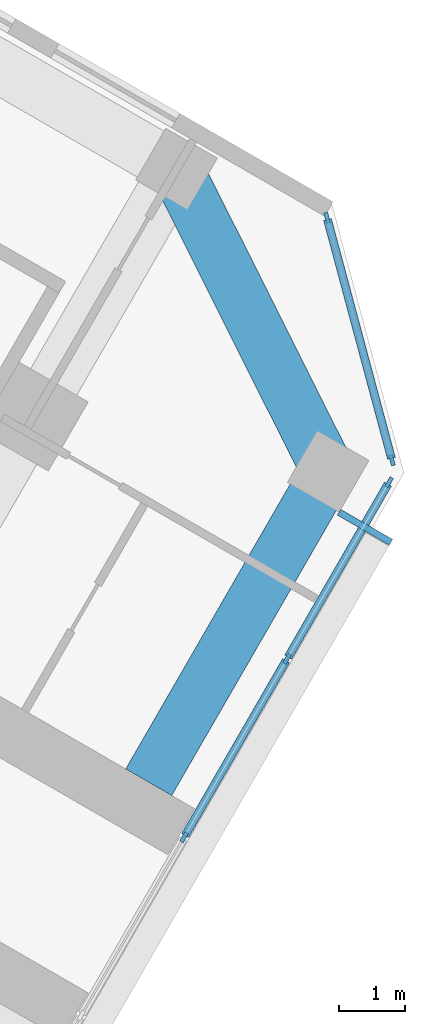
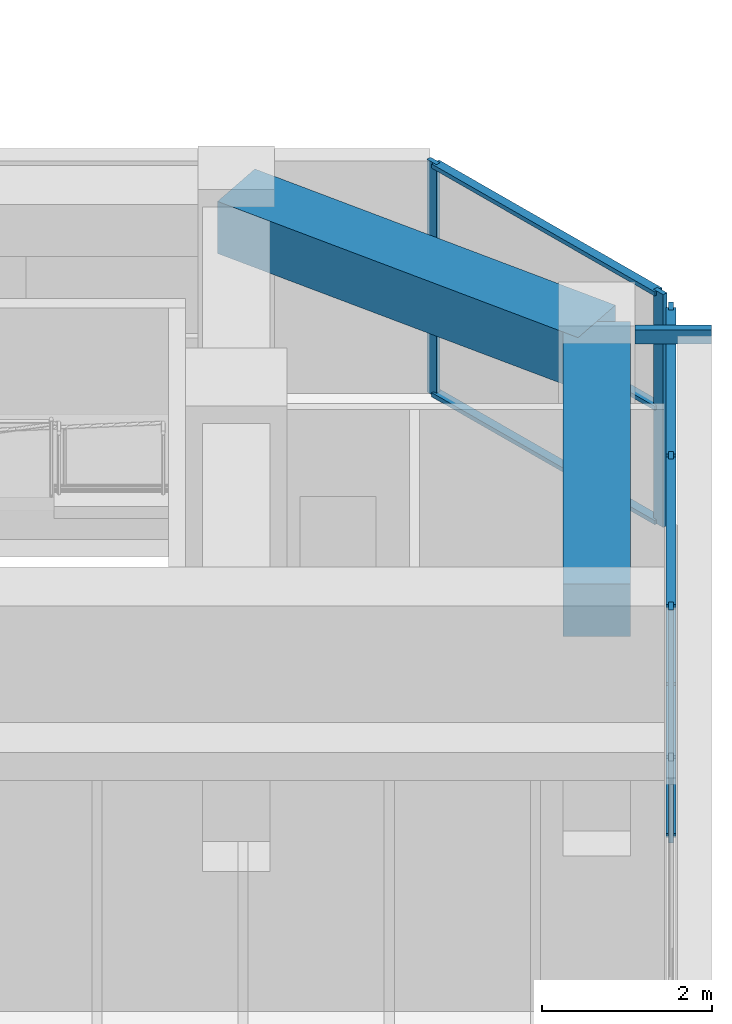
# One storey, part 8 of 20: 13 members, 2 beams, 2 elements without a shape of their own.
"""IFC4 building model written with IfcOpenShell, lengths in metres."""

import ifcopenshell
import ifcopenshell.guid

model = None  # the IFC model being written
_history = None  # IfcOwnerHistory: only IFC2X3 demands one
_inside = {}  # id of a spatial element -> (the spatial element, [elements in it])
_under = {}  # id of a project, library or spatial element -> (it, [spatial elements below it])
_declared = {}  # id of a project -> (the project, [libraries it declares])
_typed = {}  # id of a type object -> (the type object, [elements of that type])
_made_of = {}  # id of a material, layer set ... -> (it, [elements and type objects made of it])


def new_model(schema):
    """Start an empty IFC model of exactly this schema.

    Asked for "IFC4X3", IfcOpenShell would pick the latest addendum, in which some entities
    have other attributes; the version numbers below select the first issue.
    IFC2X3 requires an IfcOwnerHistory on every rooted entity: one is made here for all.
    """
    global model, _history
    if schema == "IFC4X3":
        model = ifcopenshell.file(schema_version=(4, 3, 0, 0))
    else:
        model = ifcopenshell.file(schema=schema)
    _inside.clear()
    _under.clear()
    _declared.clear()
    _typed.clear()
    _made_of.clear()
    _history = None
    if model.schema == "IFC2X3":
        org = make("IfcOrganization", Name="unknown")
        user = make(
            "IfcPersonAndOrganization",
            ThePerson=make("IfcPerson", FamilyName="unknown"),
            TheOrganization=org,
        )
        app = make(
            "IfcApplication",
            ApplicationDeveloper=org,
            Version="unknown",
            ApplicationFullName="unknown",
            ApplicationIdentifier="unknown",
        )
        _history = make(
            "IfcOwnerHistory",
            OwningUser=user,
            OwningApplication=app,
            ChangeAction="ADDED",
            CreationDate=0,
        )
    return model


def make(cls, **values):
    """One entity of the class cls with the attributes given. An attribute that is None is left unset."""
    return model.create_entity(
        cls, **{name: value for name, value in values.items() if value is not None}
    )


def rooted(cls, **values):
    """An entity with a GlobalId (a new one), such as an element, a storey or a relation."""
    return make(cls, GlobalId=ifcopenshell.guid.new(), OwnerHistory=_history, **values)


def si_unit(unit_type, name, prefix=None):
    """IfcSIUnit, for example si_unit("LENGTHUNIT", "METRE", prefix="MILLI")."""
    return make("IfcSIUnit", UnitType=unit_type, Prefix=prefix, Name=name)


def assignment(units):
    """IfcUnitAssignment: the units of a project."""
    return None if units is None else make("IfcUnitAssignment", Units=units)


def point(xyz):
    """IfcCartesianPoint."""
    return None if xyz is None else make("IfcCartesianPoint", Coordinates=xyz)


def direction(xyz):
    """IfcDirection."""
    return None if xyz is None else make("IfcDirection", DirectionRatios=xyz)


def frame(location, z_axis=None, x_axis=None):
    """IfcAxis2Placement3D, a coordinate frame: its origin and axes. An axis left out is left unset."""
    return make(
        "IfcAxis2Placement3D",
        Location=point(location),
        Axis=direction(z_axis),
        RefDirection=direction(x_axis),
    )


def frame_2d(location, x_axis=None):
    """IfcAxis2Placement2D, a coordinate frame in the plane: its origin and x axis."""
    return make(
        "IfcAxis2Placement2D", Location=point(location), RefDirection=direction(x_axis)
    )


def origin():
    """The frame at (0, 0, 0) with its axes left unset."""
    return frame((0.0, 0.0, 0.0))


def origin_2d():
    """The frame at (0, 0) in the plane with its x axis left unset."""
    return frame_2d((0.0, 0.0))


def place(relative_to, where):
    """IfcLocalPlacement: puts the frame where relative to a parent placement (None: the world)."""
    return make(
        "IfcLocalPlacement", PlacementRelTo=relative_to, RelativePlacement=where
    )


def context(
    kind, dimensions, precision=None, world=None, true_north=None, identifier=None
):
    """IfcGeometricRepresentationContext, for example the 3D "Model" context."""
    return make(
        "IfcGeometricRepresentationContext",
        ContextIdentifier=identifier,
        ContextType=kind,
        CoordinateSpaceDimension=dimensions,
        Precision=precision,
        WorldCoordinateSystem=world,
        TrueNorth=true_north,
    )


def subcontext(parent, identifier, kind, view, scale=None):
    """IfcGeometricRepresentationSubContext, for example "Body" below "Model"."""
    return make(
        "IfcGeometricRepresentationSubContext",
        ContextIdentifier=identifier,
        ContextType=kind,
        ParentContext=parent,
        TargetScale=scale,
        TargetView=view,
    )


def project(units=None, contexts=None):
    """IfcProject with its units and contexts."""
    return rooted(
        "IfcProject",
        Name="project",
        RepresentationContexts=contexts,
        UnitsInContext=assignment(units),
    )


def spatial(cls, under=None, at=None, **own):
    """A site, building, storey or space (cls), placed at a placement, below another one or the project."""
    s = rooted(cls, ObjectPlacement=at, **own)
    if under is not None:
        _under.setdefault(under.id(), (under, []))[1].append(s)
    return s


def profile(cls, at=None, kind="AREA", **sizes):
    """A parametric profile (cls). Its sizes go by their IFC names, for example OverallWidth=200.0."""
    return make(cls, ProfileType=kind, Position=at, **sizes)


def rectangle(**sizes):
    """IfcRectangleProfileDef."""
    return profile("IfcRectangleProfileDef", **sizes)


def hollow_rectangle(**sizes):
    """IfcRectangleHollowProfileDef."""
    return profile("IfcRectangleHollowProfileDef", **sizes)


def extrude(swept, where, along, depth):
    """IfcExtrudedAreaSolid: the profile swept, set in the frame where, extruded along a direction by depth."""
    return make(
        "IfcExtrudedAreaSolid",
        SweptArea=swept,
        Position=where,
        ExtrudedDirection=direction(along),
        Depth=depth,
    )


def shape(context_of_items, identifier, shape_type, items):
    """IfcShapeRepresentation: the items that make up one representation, for example the "Body"."""
    return make(
        "IfcShapeRepresentation",
        ContextOfItems=context_of_items,
        RepresentationIdentifier=identifier,
        RepresentationType=shape_type,
        Items=items,
    )


def material(Name=None, Category=None):
    """IfcMaterial."""
    return make("IfcMaterial", Name=Name, Category=Category)


def material_profile(
    of_material, cross_section, Name=None, Category=None, Priority=None
):
    """IfcMaterialProfile: a cross section and its material."""
    return make(
        "IfcMaterialProfile",
        Name=Name,
        Material=of_material,
        Profile=cross_section,
        Priority=Priority,
        Category=Category,
    )


def profile_set(profiles, Name=None, composite=None):
    """IfcMaterialProfileSet."""
    return make(
        "IfcMaterialProfileSet",
        Name=Name,
        MaterialProfiles=profiles,
        CompositeProfile=composite,
    )


def made_of(thing, what):
    """Note that an element or type object is made of a material, layer set ...; save() writes the relation."""
    if what is not None:
        _made_of.setdefault(what.id(), (what, []))[1].append(thing)
    return thing


def type_object(cls, material=None, **own):
    """A type object (cls), such as IfcWallType, which elements share."""
    return made_of(rooted(cls, **own), material)


def element(
    cls,
    number,
    at=None,
    inside=None,
    cuts=None,
    type_object=None,
    material=None,
    context=None,
    identifier="Body",
    shape_type=None,
    held_by="IfcProductDefinitionShape",
    body=None,
    shapes=None,
    **own,
):
    """One element of the class cls, such as IfcWall. Its Tag is "e" and its number.

    at: its placement. inside: the storey or other place that contains it. cuts: it is an
    opening in that element (IfcRelVoidsElement). A single representation is given by context,
    identifier, shape_type and body (its items); several are given by shapes. held_by: the class
    of the entity that holds the representations. save() writes the other relations.
    """
    e = rooted(cls, Tag="e%d" % number, ObjectPlacement=at, **own)
    if body is not None:
        shapes = [shape(context, identifier, shape_type, body)]
    if shapes is not None:
        e.Representation = make(held_by, Representations=shapes)
    if inside is not None:
        _inside.setdefault(inside.id(), (inside, []))[1].append(e)
    if cuts is not None:
        rooted(
            "IfcRelVoidsElement", RelatingBuildingElement=cuts, RelatedOpeningElement=e
        )
    if type_object is not None:
        _typed.setdefault(type_object.id(), (type_object, []))[1].append(e)
    return made_of(e, material)


def aggregate(whole, parts):
    """IfcRelAggregates: a whole, such as a stair, and the parts it consists of."""
    return rooted("IfcRelAggregates", RelatingObject=whole, RelatedObjects=parts)


def save(model, path):
    """Write the relations noted so far, then the file.

    IfcRelAggregates (storeys below a building ...), IfcRelContainedInSpatialStructure (elements
    in a storey), IfcRelDefinesByType, IfcRelAssociatesMaterial and IfcRelDeclares: one each for
    every whole, place, type object, material and project.
    """
    for whole, parts in _under.values():
        aggregate(whole, parts)
    for where, things in _inside.values():
        rooted(
            "IfcRelContainedInSpatialStructure",
            RelatedElements=things,
            RelatingStructure=where,
        )
    for kind, things in _typed.values():
        rooted("IfcRelDefinesByType", RelatedObjects=things, RelatingType=kind)
    for what, things in _made_of.values():
        rooted("IfcRelAssociatesMaterial", RelatedObjects=things, RelatingMaterial=what)
    for by, libraries in _declared.values():
        rooted("IfcRelDeclares", RelatingContext=by, RelatedDefinitions=libraries)
    model.write(path)


model = new_model("IFC4")

# Units and contexts
model_context = context("Model", 3, precision=1e-05, world=origin(), true_north=direction((0.0, 1.0)))
body_context = subcontext(model_context, "Body", "Model", "MODEL_VIEW")
ifc_project = project(units=[si_unit("LENGTHUNIT", "METRE"), si_unit("AREAUNIT", "SQUARE_METRE"), si_unit("VOLUMEUNIT", "CUBIC_METRE"), si_unit("PLANEANGLEUNIT", "RADIAN"), si_unit("MASSUNIT", "GRAM", prefix="KILO")], contexts=[model_context])

# Site, building, storey
site_placement = place(None, origin())
site = spatial("IfcSite", under=ifc_project, at=site_placement, CompositionType="ELEMENT")
building_placement = place(site_placement, origin())
building = spatial("IfcBuilding", under=site, at=building_placement, Name="Kosmar Iwan School Tower", CompositionType="ELEMENT")
storey_placement = place(building_placement, frame((0.0, 0.0, 131.0)))
storey = spatial("IfcBuildingStorey", under=building, at=storey_placement, Name="L32", CompositionType="ELEMENT", Elevation=131.0)

# Member
ifc_material_1 = material(Name="Steel S355", Category="steel")
ifc_material_profile_1 = material_profile(ifc_material_1, hollow_rectangle(XDim=0.10009765625, YDim=0.199951171875, WallThickness=0.008056640625, at=origin_2d()), Name="RHS 200x100x8")
ifc_profile_set_1 = profile_set([ifc_material_profile_1], Name="Steel S355")
member_type_1 = type_object("IfcMemberType", Name="Fin bracket RHS 200x100", PredefinedType="USERDEFINED", material=ifc_profile_set_1)
member_1_placement = place(storey_placement, frame((32.963134765625, -11.006103515625, 3.47509765625), z_axis=(0.866081705922, -0.499902469156, 0.0), x_axis=(0.499902469156, 0.866081705922, 0.0)))
element("IfcMember", 1, at=member_1_placement, inside=storey, type_object=member_type_1, Name="Fin bracket L33", ObjectType="FIN BRACKET", PredefinedType="USERDEFINED", context=body_context, shape_type="SweptSolid", body=[
    extrude(hollow_rectangle(XDim=0.10009765625, YDim=0.199951171875, WallThickness=0.008056640625, at=origin_2d()), origin(), (0.0, 0.0, 1.0), 0.900146484375),
])

# Curtain wall, members
ifc_material_2 = material(Name="Dark glass in black aluminium frame", Category="aluminium")
curtain_wall_type_1 = type_object("IfcCurtainWallType", Name="Tower curtain wall dark glass", PredefinedType="USERDEFINED", material=ifc_material_2)
curtain_wall_1_placement = place(storey_placement, origin())
curtain_wall_1 = element("IfcCurtainWall", 2, at=curtain_wall_1_placement, inside=storey, type_object=curtain_wall_type_1, Name="Curtain wall L32-F03", ObjectType="UNITISED CURTAIN WALL", PredefinedType="USERDEFINED")
ifc_material_3 = material(Name="Black anodised aluminium", Category="aluminium")
ifc_material_profile_2 = material_profile(ifc_material_3, rectangle(XDim=0.06005859375, YDim=0.159912109375, at=origin_2d()), Name="MULLION 60x160")
ifc_profile_set_2 = profile_set([ifc_material_profile_2], Name="Black anodised aluminium")
member_type_2 = type_object("IfcMemberType", Name="Mullion 60x160", PredefinedType="MULLION", material=ifc_profile_set_2)
member_2_placement = place(storey_placement, frame((30.631103515625, -15.8955078125, 0.0), z_axis=(0.0, 0.0, 1.0), x_axis=(-0.866025405329, 0.499999997325, 0.0)))
member_2 = element("IfcMember", 3, at=member_2_placement, type_object=member_type_2, Name="CW1 mullion 4", PredefinedType="MULLION", context=body_context, shape_type="SweptSolid", body=[
    extrude(rectangle(XDim=0.06005859375, YDim=0.159912109375, at=origin_2d()), origin(), (0.0, 0.0, 1.0), 3.35009765625),
])
member_3_placement = place(storey_placement, frame((32.1806640625, -13.21142578125, 0.0), z_axis=(0.0, 0.0, 1.0), x_axis=(-0.866025405329, 0.499999997325, 0.0)))
member_3 = element("IfcMember", 4, at=member_3_placement, type_object=member_type_2, Name="CW1 mullion 5", PredefinedType="MULLION", context=body_context, shape_type="SweptSolid", body=[
    extrude(rectangle(XDim=0.06005859375, YDim=0.159912109375, at=origin_2d()), origin(), (0.0, 0.0, 1.0), 3.35009765625),
])
member_4_placement = place(storey_placement, frame((33.71533203125, -10.55322265625, 0.0), z_axis=(0.0, 0.0, 1.0), x_axis=(-0.866025405329, 0.499999997325, 0.0)))
member_4 = element("IfcMember", 5, at=member_4_placement, type_object=member_type_2, Name="CW1 mullion 6", PredefinedType="MULLION", context=body_context, shape_type="SweptSolid", body=[
    extrude(rectangle(XDim=0.06005859375, YDim=0.159912109375, at=origin_2d()), origin(), (0.0, 0.0, 1.0), 3.35009765625),
])

ifc_material_4 = material(Name="Dark glass in black aluminium frame", Category="aluminium")
curtain_wall_type_2 = type_object("IfcCurtainWallType", Name="Chamfer curtain wall dark glass", PredefinedType="USERDEFINED", material=ifc_material_4)
curtain_wall_2_placement = place(storey_placement, origin())
curtain_wall_2 = element("IfcCurtainWall", 6, at=curtain_wall_2_placement, inside=storey, type_object=curtain_wall_type_2, Name="Curtain wall L32-F04", ObjectType="FACETED CURTAIN WALL", PredefinedType="USERDEFINED")
member_5_placement = place(storey_placement, frame((33.7587890625, -10.2236328125, 0.0), z_axis=(0.0, 0.0, 1.0), x_axis=(-0.965925875495, -0.258818861462, 0.0)))
member_5 = element("IfcMember", 7, at=member_5_placement, type_object=member_type_2, Name="CW2 mullion 1", PredefinedType="MULLION", context=body_context, shape_type="SweptSolid", body=[
    extrude(rectangle(XDim=0.06005859375, YDim=0.159912109375, at=origin_2d()), origin(), (0.0, 0.0, 1.0), 3.35009765625),
])
member_6_placement = place(storey_placement, frame((32.78076171875, -6.5732421875, 0.0), z_axis=(0.0, 0.0, 1.0), x_axis=(-0.965925875495, -0.258818861462, 0.0)))
member_6 = element("IfcMember", 8, at=member_6_placement, type_object=member_type_2, Name="CW2 mullion 2", PredefinedType="MULLION", context=body_context, shape_type="SweptSolid", body=[
    extrude(rectangle(XDim=0.06005859375, YDim=0.159912109375, at=origin_2d()), origin(), (0.0, 0.0, 1.0), 3.35009765625),
])

# Beams
ifc_material_5 = material(Name="Concrete C50/60", Category="concrete")
ifc_material_profile_3 = material_profile(ifc_material_5, rectangle(XDim=0.800048828125, YDim=0.75, at=origin_2d()), Name="RC 800x750")
ifc_profile_set_3 = profile_set([ifc_material_profile_3], Name="Concrete C50/60")
beam_type = type_object("IfcBeamType", Name="RC tip beam 800x750", PredefinedType="BEAM", material=ifc_profile_set_3)
beam_1_placement = place(storey_placement, frame((30.517822265625, -5.841552734375, 2.97509765625), z_axis=(0.44809604203, -0.893985423325, 0.0), x_axis=(0.893985423325, 0.44809604203, 0.0)))
element("IfcBeam", 9, at=beam_1_placement, inside=storey, type_object=beam_type, Name="Tip beam CL", PredefinedType="BEAM", context=body_context, shape_type="SweptSolid", body=[
    extrude(rectangle(XDim=0.800048828125, YDim=0.75, at=origin_2d()), origin(), (0.0, 0.0, 1.0), 5.08935546875),
])
beam_2_placement = place(storey_placement, frame((32.79833984375, -10.391357421875, 2.97509765625), z_axis=(-0.499995103361, -0.866028230842, 0.0), x_axis=(0.866028230842, -0.499995103361, 0.0)))
element("IfcBeam", 10, at=beam_2_placement, inside=storey, type_object=beam_type, Name="Tip beam CL to corridor wall", PredefinedType="BEAM", context=body_context, shape_type="SweptSolid", body=[
    extrude(rectangle(XDim=0.800048828125, YDim=0.75, at=origin_2d()), origin(), (0.0, 0.0, 1.0), 5.39990234375),
])

# Member
ifc_material_6 = material(Name="Black anodised aluminium", Category="aluminium")
ifc_material_profile_4 = material_profile(ifc_material_6, rectangle(XDim=0.1201171875, YDim=0.06005859375, at=origin_2d()), Name="TRANSOM 60x120")
ifc_profile_set_4 = profile_set([ifc_material_profile_4], Name="Black anodised aluminium")
member_type_3 = type_object("IfcMemberType", Name="Transom 60x120", PredefinedType="USERDEFINED", material=ifc_profile_set_4)
member_7_placement = place(storey_placement, frame((30.64599609375, -15.869384765625, 0.030029296875), z_axis=(0.500035348339, 0.866004994449, 0.0), x_axis=(-0.866004994449, 0.500035348339, 0.0)))
member_7 = element("IfcMember", 11, at=member_7_placement, type_object=member_type_3, Name="CW1 transom 4.1", ObjectType="TRANSOM", PredefinedType="USERDEFINED", context=body_context, shape_type="SweptSolid", body=[
    extrude(rectangle(XDim=0.1201171875, YDim=0.06005859375, at=origin_2d()), origin(), (0.0, 0.0, 1.0), 3.039306640625),
])

member_8_placement = place(storey_placement, frame((30.64599609375, -15.869384765625, 3.320068359375), z_axis=(0.500035348339, 0.866004994449, 0.0), x_axis=(-0.866004994449, 0.500035348339, 0.0)))
member_8 = element("IfcMember", 12, at=member_8_placement, type_object=member_type_3, Name="CW1 transom 4.2", ObjectType="TRANSOM", PredefinedType="USERDEFINED", context=body_context, shape_type="SweptSolid", body=[
    extrude(rectangle(XDim=0.1201171875, YDim=0.06005859375, at=origin_2d()), origin(), (0.0, 0.0, 1.0), 3.039306640625),
])

member_9_placement = place(storey_placement, frame((32.19580078125, -13.185302734375, 0.030029296875), z_axis=(0.500022102064, 0.866012642776, 0.0), x_axis=(-0.866012642776, 0.500022102064, 0.0)))
member_9 = element("IfcMember", 13, at=member_9_placement, type_object=member_type_3, Name="CW1 transom 5.1", ObjectType="TRANSOM", PredefinedType="USERDEFINED", context=body_context, shape_type="SweptSolid", body=[
    extrude(rectangle(XDim=0.1201171875, YDim=0.06005859375, at=origin_2d()), origin(), (0.0, 0.0, 1.0), 3.009033203125),
])

member_10_placement = place(storey_placement, frame((32.19580078125, -13.185302734375, 3.320068359375), z_axis=(0.500022102064, 0.866012642776, 0.0), x_axis=(-0.866012642776, 0.500022102064, 0.0)))
member_10 = element("IfcMember", 14, at=member_10_placement, type_object=member_type_3, Name="CW1 transom 5.2", ObjectType="TRANSOM", PredefinedType="USERDEFINED", context=body_context, shape_type="SweptSolid", body=[
    extrude(rectangle(XDim=0.1201171875, YDim=0.06005859375, at=origin_2d()), origin(), (0.0, 0.0, 1.0), 3.009033203125),
])

aggregate(curtain_wall_1, [member_2, member_3, member_4, member_7, member_8, member_9, member_10])

member_11_placement = place(storey_placement, frame((33.7509765625, -10.194580078125, 0.030029296875), z_axis=(-0.258843273983, 0.965919333854, 0.0), x_axis=(-0.965919333854, -0.258843273983, 0.0)))
member_11 = element("IfcMember", 15, at=member_11_placement, type_object=member_type_3, Name="CW2 transom 1.1", ObjectType="TRANSOM", PredefinedType="USERDEFINED", context=body_context, shape_type="SweptSolid", body=[
    extrude(rectangle(XDim=0.1201171875, YDim=0.06005859375, at=origin_2d()), origin(), (0.0, 0.0, 1.0), 3.718994140625),
])

member_12_placement = place(storey_placement, frame((33.7509765625, -10.194580078125, 1.675048828125), z_axis=(-0.258843273983, 0.965919333854, 0.0), x_axis=(-0.965919333854, -0.258843273983, 0.0)))
member_12 = element("IfcMember", 16, at=member_12_placement, type_object=member_type_3, Name="CW2 transom 1.2", ObjectType="TRANSOM", PredefinedType="USERDEFINED", context=body_context, shape_type="SweptSolid", body=[
    extrude(rectangle(XDim=0.1201171875, YDim=0.06005859375, at=origin_2d()), origin(), (0.0, 0.0, 1.0), 3.718994140625),
])

member_13_placement = place(storey_placement, frame((33.7509765625, -10.194580078125, 3.320068359375), z_axis=(-0.258843273983, 0.965919333854, 0.0), x_axis=(-0.965919333854, -0.258843273983, 0.0)))
member_13 = element("IfcMember", 17, at=member_13_placement, type_object=member_type_3, Name="CW2 transom 1.3", ObjectType="TRANSOM", PredefinedType="USERDEFINED", context=body_context, shape_type="SweptSolid", body=[
    extrude(rectangle(XDim=0.1201171875, YDim=0.06005859375, at=origin_2d()), origin(), (0.0, 0.0, 1.0), 3.718994140625),
])

aggregate(curtain_wall_2, [member_5, member_6, member_11, member_12, member_13])

save(model, "model.ifc")
